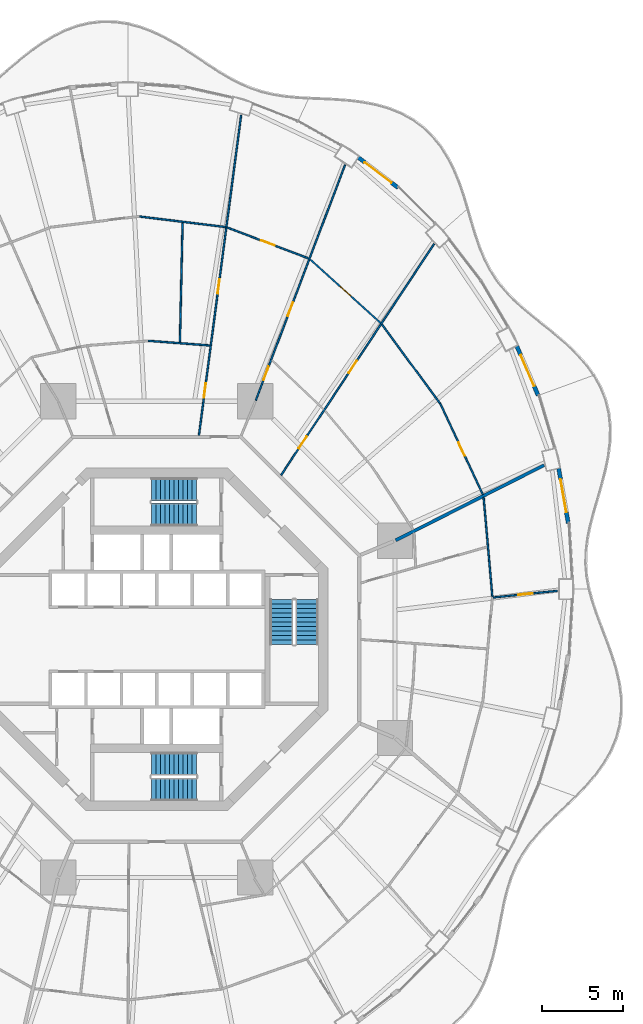
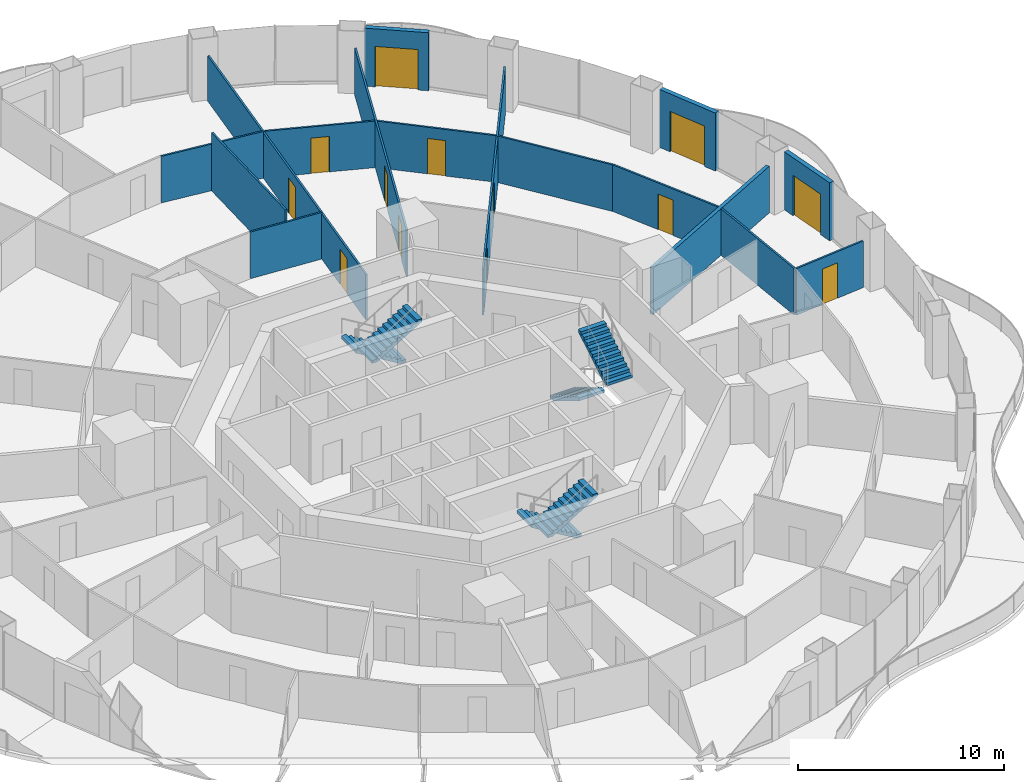
# One storey, part 19 of 22: 16 walls, 13 doors, 6 stair flights, 13 openings, 3 elements without a shape of their own.
"""IFC4 building model written with IfcOpenShell, lengths in metres."""

from ifc_helpers import new_model, si_unit, direction, frame, frame_2d, origin, place, context, subcontext, project, spatial, polyline, rectangle, outline, extrude, material, layer, layer_set, type_object, element, fill, aggregate, save


model = new_model("IFC4")

# Units and contexts
model_context = context("Model", 3, precision=1e-05, world=origin(), true_north=direction((0.0, 1.0)))
body_context = subcontext(model_context, "Body", "Model", "MODEL_VIEW")
ifc_project = project(units=[si_unit("LENGTHUNIT", "METRE"), si_unit("AREAUNIT", "SQUARE_METRE"), si_unit("VOLUMEUNIT", "CUBIC_METRE"), si_unit("PLANEANGLEUNIT", "RADIAN"), si_unit("MASSUNIT", "GRAM", prefix="KILO")], contexts=[model_context])

# Site, building, storey
site_placement = place(None, origin())
site = spatial("IfcSite", under=ifc_project, at=site_placement, CompositionType="ELEMENT")
building_placement = place(site_placement, origin())
building = spatial("IfcBuilding", under=site, at=building_placement, Name="Nagisa Residences", CompositionType="ELEMENT")
storey_placement = place(building_placement, frame((0.0, 0.0, 80.699951171875)))
storey = spatial("IfcBuildingStorey", under=building, at=storey_placement, Name="L19", CompositionType="ELEMENT", Elevation=80.699951171875)

# Wall
ifc_material_1 = material(Name="Gypsum board on steel studs", Category="steel")
ifc_layer_1 = layer(ifc_material_1, 0.199951171875)
ifc_layer_set_1 = layer_set([ifc_layer_1], Name="Apartment compartment wall EI60 200")
wall_type_1 = type_object("IfcWallType", Name="Apartment compartment wall EI60 200", PredefinedType="PARTITIONING", material=ifc_layer_set_1)
wall_1_placement = place(storey_placement, frame((14.82666015625, 6.1455078125, 0.0), z_axis=(0.0, 0.0, 1.0), x_axis=(0.892068075337, 0.451901038906, 0.0)))
element("IfcWall", 1, at=wall_1_placement, inside=storey, type_object=wall_type_1, Name="wall:L19:u01", PredefinedType="PARTITIONING", context=body_context, shape_type="SweptSolid", body=[
    extrude(rectangle(XDim=10.31982421875, YDim=0.199951171875, at=frame_2d((5.159912109375, 0.0))), origin(), (0.0, 0.0, 1.0), 2.761962890625),
])

# Wall, opening, door
ifc_material_2 = material(Name="Gypsum board on steel studs", Category="steel")
ifc_layer_2 = layer(ifc_material_2, 0.10009765625)
ifc_layer_set_2 = layer_set([ifc_layer_2], Name="Apartment partition 100")
wall_type_2 = type_object("IfcWallType", Name="Apartment partition 100", PredefinedType="PARTITIONING", material=ifc_layer_set_2)
wall_2_placement = place(storey_placement, frame((20.879150390625, 2.597412109375, 0.0), z_axis=(0.0, 0.0, 1.0), x_axis=(0.994666546694, 0.103142914868, 0.0)))
wall_2 = element("IfcWall", 2, at=wall_2_placement, inside=storey, type_object=wall_type_2, Name="wall:L19:u16", PredefinedType="PARTITIONING", context=body_context, shape_type="SweptSolid", body=[
    extrude(rectangle(XDim=3.997802734375, YDim=0.10009765625, at=frame_2d((1.9990234375, 0.0))), origin(), (0.0, 0.0, 1.0), 2.761962890625),
])
opening_1_placement = place(wall_2_placement, frame((1.548828125, 0.0, 0.0)))
opening_1 = element("IfcOpeningElement", 3, at=opening_1_placement, cuts=wall_2, Name="Opening L19-U54", PredefinedType="OPENING", context=body_context, shape_type="SweptSolid", body=[
    extrude(rectangle(XDim=0.89990234375, YDim=2.10009765625, at=frame_2d((0.449951171875, 1.050048828125))), frame((0.0, 0.06005859375, 0.0), z_axis=(0.0, -1.0, 0.0), x_axis=(1.0, 0.0, 0.0)), (0.0, 0.0, 1.0), 0.1201171875),
])
ifc_material_3 = material(Name="Timber door set", Category="wood")
door_type_1 = type_object("IfcDoorType", Name="Apartment door 900x2100", OperationType="NOTDEFINED", PredefinedType="DOOR", material=ifc_material_3)
door_1_placement = place(opening_1_placement, origin())
door_1 = element("IfcDoor", 4, at=door_1_placement, inside=storey, type_object=door_type_1, Name="Door to master bedroom, Apartment 19D", OperationType="SINGLE_SWING_RIGHT", OverallHeight=2.10009765625, OverallWidth=0.89990234375, PredefinedType="DOOR", context=body_context, shape_type="SweptSolid", body=[
    extrude(rectangle(XDim=0.89990234375, YDim=2.10009765625, at=frame_2d((0.449951171875, 1.050048828125))), frame((0.0, 0.02490234375, 0.0), z_axis=(0.0, -1.0, 0.0), x_axis=(1.0, 0.0, 0.0)), (0.0, 0.0, 1.0), 0.050048828125),
])
fill(opening_1, door_1)

# Wall
wall_3_placement = place(storey_placement, frame((20.8251953125, 2.64208984375, 0.0), z_axis=(0.0, 0.0, 1.0), x_axis=(-0.087760219522, 0.996141628419, 0.0)))
element("IfcWall", 5, at=wall_3_placement, inside=storey, type_object=wall_type_2, Name="wall:L19:u17", PredefinedType="PARTITIONING", context=body_context, shape_type="SweptSolid", body=[
    extrude(rectangle(XDim=6.18701171875, YDim=0.10009765625, at=frame_2d((3.093505859375, 0.0))), origin(), (0.0, 0.0, 1.0), 2.761962890625),
])

# Wall, opening, door
wall_4_placement = place(storey_placement, frame((20.23095703125, 8.995361328125, 0.0), z_axis=(0.0, 0.0, 1.0), x_axis=(-0.424587886407, 0.905386727712, 0.0)))
wall_4 = element("IfcWall", 6, at=wall_4_placement, inside=storey, type_object=wall_type_2, Name="wall:L19:u22", PredefinedType="PARTITIONING", context=body_context, shape_type="SweptSolid", body=[
    extrude(rectangle(XDim=6.25439453125, YDim=0.10009765625, at=frame_2d((3.127197265625, 0.0))), origin(), (0.0, 0.0, 1.0), 2.761962890625),
])
opening_2_placement = place(wall_4_placement, frame((2.652099609375, 0.0, 0.0)))
opening_2 = element("IfcOpeningElement", 7, at=opening_2_placement, cuts=wall_4, Name="Opening L19-U21", PredefinedType="OPENING", context=body_context, shape_type="SweptSolid", body=[
    extrude(rectangle(XDim=0.89990234375, YDim=2.10009765625, at=frame_2d((0.449951171875, 1.050048828125))), frame((0.0, 0.06005859375, 0.0), z_axis=(0.0, -1.0, 0.0), x_axis=(1.0, 0.0, 0.0)), (0.0, 0.0, 1.0), 0.1201171875),
])
door_2_placement = place(opening_2_placement, frame((0.89990234375, 0.0, 0.0), x_axis=(-1.0, 0.0, 0.0)))
door_2 = element("IfcDoor", 8, at=door_2_placement, inside=storey, type_object=door_type_1, Name="Door to family room, Apartment 19A", OperationType="SINGLE_SWING_RIGHT", OverallHeight=2.10009765625, OverallWidth=0.89990234375, PredefinedType="DOOR", context=body_context, shape_type="SweptSolid", body=[
    extrude(rectangle(XDim=0.89990234375, YDim=2.10009765625, at=frame_2d((0.449951171875, 1.050048828125))), frame((0.0, 0.02490234375, 0.0), z_axis=(0.0, -1.0, 0.0), x_axis=(1.0, 0.0, 0.0)), (0.0, 0.0, 1.0), 0.050048828125),
])
fill(opening_2, door_2)

# Wall
wall_5_placement = place(storey_placement, frame((17.567138671875, 14.65283203125, 0.0), z_axis=(0.0, 0.0, 1.0), x_axis=(-0.592391983588, 0.80564988536, 0.0)))
element("IfcWall", 9, at=wall_5_placement, inside=storey, type_object=wall_type_2, Name="wall:L19:u24", PredefinedType="PARTITIONING", context=body_context, shape_type="SweptSolid", body=[
    extrude(rectangle(XDim=6.080078125, YDim=0.10009765625, at=frame_2d((3.0400390625, 0.0))), origin(), (0.0, 0.0, 1.0), 2.761962890625),
])

# Wall, openings, doors
wall_6_placement = place(storey_placement, frame((7.713134765625, 10.19482421875, 0.0), z_axis=(0.0, 0.0, 1.0), x_axis=(0.552111071171, 0.833770571015, 0.0)))
wall_6 = element("IfcWall", 10, at=wall_6_placement, inside=storey, type_object=wall_type_2, Name="wall:L19:u25", PredefinedType="PARTITIONING", context=body_context, shape_type="SweptSolid", body=[
    extrude(rectangle(XDim=17.20849609375, YDim=0.10009765625, at=frame_2d((8.604248046875, 0.0))), origin(), (0.0, 0.0, 1.0), 2.68701171875),
])
opening_3_placement = place(wall_6_placement, frame((1.975830078125, 0.0, 0.0)))
opening_3 = element("IfcOpeningElement", 11, at=opening_3_placement, cuts=wall_6, Name="Opening L19-U19", PredefinedType="OPENING", context=body_context, shape_type="SweptSolid", body=[
    extrude(rectangle(XDim=0.89990234375, YDim=2.10009765625, at=frame_2d((0.449951171875, 1.050048828125))), frame((0.0, 0.06005859375, 0.0), z_axis=(0.0, -1.0, 0.0), x_axis=(1.0, 0.0, 0.0)), (0.0, 0.0, 1.0), 0.1201171875),
])
opening_4_placement = place(wall_6_placement, frame((7.611083984375, 0.0, 0.0)))
opening_4 = element("IfcOpeningElement", 12, at=opening_4_placement, cuts=wall_6, Name="Opening L19-U20", PredefinedType="OPENING", context=body_context, shape_type="SweptSolid", body=[
    extrude(rectangle(XDim=0.89990234375, YDim=2.10009765625, at=frame_2d((0.449951171875, 1.050048828125))), frame((0.0, 0.06005859375, 0.0), z_axis=(0.0, -1.0, 0.0), x_axis=(1.0, 0.0, 0.0)), (0.0, 0.0, 1.0), 0.1201171875),
])
door_3_placement = place(opening_3_placement, frame((0.89990234375, 0.0, 0.0), x_axis=(-1.0, 0.0, 0.0)))
door_3 = element("IfcDoor", 13, at=door_3_placement, inside=storey, type_object=door_type_1, Name="Door to laundry, Apartment 19A", OperationType="SINGLE_SWING_RIGHT", OverallHeight=2.10009765625, OverallWidth=0.89990234375, PredefinedType="DOOR", context=body_context, shape_type="SweptSolid", body=[
    extrude(rectangle(XDim=0.89990234375, YDim=2.10009765625, at=frame_2d((0.449951171875, 1.050048828125))), frame((0.0, 0.02490234375, 0.0), z_axis=(0.0, -1.0, 0.0), x_axis=(1.0, 0.0, 0.0)), (0.0, 0.0, 1.0), 0.050048828125),
])
fill(opening_3, door_3)
door_4_placement = place(opening_4_placement, frame((0.89990234375, 0.0, 0.0), x_axis=(-1.0, 0.0, 0.0)))
door_4 = element("IfcDoor", 14, at=door_4_placement, inside=storey, type_object=door_type_1, Name="Door to dining room, Apartment 19A", OperationType="SINGLE_SWING_LEFT", OverallHeight=2.10009765625, OverallWidth=0.89990234375, PredefinedType="DOOR", context=body_context, shape_type="SweptSolid", body=[
    extrude(rectangle(XDim=0.89990234375, YDim=2.10009765625, at=frame_2d((0.449951171875, 1.050048828125))), frame((0.0, 0.02490234375, 0.0), z_axis=(0.0, -1.0, 0.0), x_axis=(1.0, 0.0, 0.0)), (0.0, 0.0, 1.0), 0.050048828125),
])
fill(opening_4, door_4)

# Wall, opening, door
wall_7_placement = place(storey_placement, frame((13.8984375, 19.625244140625, 0.0), z_axis=(0.0, 0.0, 1.0), x_axis=(-0.742400132046, 0.669956747812, 0.0)))
wall_7 = element("IfcWall", 15, at=wall_7_placement, inside=storey, type_object=wall_type_2, Name="wall:L19:u27", PredefinedType="PARTITIONING", context=body_context, shape_type="SweptSolid", body=[
    extrude(rectangle(XDim=5.9111328125, YDim=0.10009765625, at=frame_2d((2.95556640625, 0.0))), origin(), (0.0, 0.0, 1.0), 2.761962890625),
])
opening_5_placement = place(wall_7_placement, frame((2.505615234375, 0.0, 0.0)))
opening_5 = element("IfcOpeningElement", 16, at=opening_5_placement, cuts=wall_7, Name="Opening L19-U12", PredefinedType="OPENING", context=body_context, shape_type="SweptSolid", body=[
    extrude(rectangle(XDim=0.89990234375, YDim=2.10009765625, at=frame_2d((0.449951171875, 1.050048828125))), frame((0.0, 0.06005859375, 0.0), z_axis=(0.0, -1.0, 0.0), x_axis=(1.0, 0.0, 0.0)), (0.0, 0.0, 1.0), 0.1201171875),
])
door_5_placement = place(opening_5_placement, frame((0.89990234375, 0.0, 0.0), x_axis=(-1.0, 0.0, 0.0)))
door_5 = element("IfcDoor", 17, at=door_5_placement, inside=storey, type_object=door_type_1, Name="Door to master bedroom, Apartment 19A", OperationType="SINGLE_SWING_LEFT", OverallHeight=2.10009765625, OverallWidth=0.89990234375, PredefinedType="DOOR", context=body_context, shape_type="SweptSolid", body=[
    extrude(rectangle(XDim=0.89990234375, YDim=2.10009765625, at=frame_2d((0.449951171875, 1.050048828125))), frame((0.0, 0.02490234375, 0.0), z_axis=(0.0, -1.0, 0.0), x_axis=(1.0, 0.0, 0.0)), (0.0, 0.0, 1.0), 0.050048828125),
])
fill(opening_5, door_5)

# Wall, openings, doors
wall_8_placement = place(storey_placement, frame((6.140625, 14.828857421875, 0.0), z_axis=(0.0, 0.0, 1.0), x_axis=(0.354477134193, 0.935064682968, 0.0)))
wall_8 = element("IfcWall", 18, at=wall_8_placement, inside=storey, type_object=wall_type_2, Name="wall:L19:u29", PredefinedType="PARTITIONING", context=body_context, shape_type="SweptSolid", body=[
    extrude(rectangle(XDim=15.6259765625, YDim=0.10009765625, at=frame_2d((7.81298828125, 0.0))), origin(), (0.0, 0.0, 1.0), 2.761962890625),
])
opening_6_placement = place(wall_8_placement, frame((1.349609375, 0.0, 0.0)))
opening_6 = element("IfcOpeningElement", 19, at=opening_6_placement, cuts=wall_8, Name="Opening L19-U02", PredefinedType="OPENING", context=body_context, shape_type="SweptSolid", body=[
    extrude(rectangle(XDim=0.89990234375, YDim=2.10009765625, at=frame_2d((0.449951171875, 1.050048828125))), frame((0.0, 0.06005859375, 0.0), z_axis=(0.0, -1.0, 0.0), x_axis=(1.0, 0.0, 0.0)), (0.0, 0.0, 1.0), 0.1201171875),
])
opening_7_placement = place(wall_8_placement, frame((5.605712890625, 0.0, 0.0)))
opening_7 = element("IfcOpeningElement", 20, at=opening_7_placement, cuts=wall_8, Name="Opening L19-U07", PredefinedType="OPENING", context=body_context, shape_type="SweptSolid", body=[
    extrude(rectangle(XDim=0.89990234375, YDim=2.10009765625, at=frame_2d((0.449951171875, 1.050048828125))), frame((0.0, 0.06005859375, 0.0), z_axis=(0.0, -1.0, 0.0), x_axis=(1.0, 0.0, 0.0)), (0.0, 0.0, 1.0), 0.1201171875),
])
door_6_placement = place(opening_6_placement, frame((0.89990234375, 0.0, 0.0), x_axis=(-1.0, 0.0, 0.0)))
door_6 = element("IfcDoor", 21, at=door_6_placement, inside=storey, type_object=door_type_1, Name="Door to family bathroom, Apartment 19A", OperationType="SINGLE_SWING_LEFT", OverallHeight=2.10009765625, OverallWidth=0.89990234375, PredefinedType="DOOR", context=body_context, shape_type="SweptSolid", body=[
    extrude(rectangle(XDim=0.89990234375, YDim=2.10009765625, at=frame_2d((0.449951171875, 1.050048828125))), frame((0.0, 0.02490234375, 0.0), z_axis=(0.0, -1.0, 0.0), x_axis=(1.0, 0.0, 0.0)), (0.0, 0.0, 1.0), 0.050048828125),
])
fill(opening_6, door_6)
door_7_placement = place(opening_7_placement, frame((0.89990234375, 0.0, 0.0), x_axis=(-1.0, 0.0, 0.0)))
door_7 = element("IfcDoor", 22, at=door_7_placement, inside=storey, type_object=door_type_1, Name="Door to kitchen, Apartment 19A", OperationType="SINGLE_SWING_RIGHT", OverallHeight=2.10009765625, OverallWidth=0.89990234375, PredefinedType="DOOR", context=body_context, shape_type="SweptSolid", body=[
    extrude(rectangle(XDim=0.89990234375, YDim=2.10009765625, at=frame_2d((0.449951171875, 1.050048828125))), frame((0.0, 0.02490234375, 0.0), z_axis=(0.0, -1.0, 0.0), x_axis=(1.0, 0.0, 0.0)), (0.0, 0.0, 1.0), 0.050048828125),
])
fill(opening_7, door_7)

# Wall, opening, door
wall_9_placement = place(storey_placement, frame((9.42626953125, 23.63671875, 0.0), z_axis=(0.0, 0.0, 1.0), x_axis=(-0.93461405629, 0.355663557011, 0.0)))
wall_9 = element("IfcWall", 23, at=wall_9_placement, inside=storey, type_object=wall_type_2, Name="wall:L19:u30", PredefinedType="PARTITIONING", context=body_context, shape_type="SweptSolid", body=[
    extrude(rectangle(XDim=5.416748046875, YDim=0.10009765625, at=frame_2d((2.70849609375, 0.0))), origin(), (0.0, 0.0, 1.0), 2.761962890625),
])
opening_8_placement = place(wall_9_placement, frame((2.25830078125, 0.0, 0.0)))
opening_8 = element("IfcOpeningElement", 24, at=opening_8_placement, cuts=wall_9, Name="Opening L19-U13", PredefinedType="OPENING", context=body_context, shape_type="SweptSolid", body=[
    extrude(rectangle(XDim=0.89990234375, YDim=2.10009765625, at=frame_2d((0.449951171875, 1.050048828125))), frame((0.0, 0.06005859375, 0.0), z_axis=(0.0, -1.0, 0.0), x_axis=(1.0, 0.0, 0.0)), (0.0, 0.0, 1.0), 0.1201171875),
])
door_8_placement = place(opening_8_placement, frame((0.89990234375, 0.0, 0.0), x_axis=(-1.0, 0.0, 0.0)))
door_8 = element("IfcDoor", 25, at=door_8_placement, inside=storey, type_object=door_type_1, Name="Door to family room, Apartment 19A", OperationType="SINGLE_SWING_RIGHT", OverallHeight=2.10009765625, OverallWidth=0.89990234375, PredefinedType="DOOR", context=body_context, shape_type="SweptSolid", body=[
    extrude(rectangle(XDim=0.89990234375, YDim=2.10009765625, at=frame_2d((0.449951171875, 1.050048828125))), frame((0.0, 0.02490234375, 0.0), z_axis=(0.0, -1.0, 0.0), x_axis=(1.0, 0.0, 0.0)), (0.0, 0.0, 1.0), 0.050048828125),
])
fill(opening_8, door_8)

# Wall, openings, doors
wall_10_placement = place(storey_placement, frame((2.615234375, 12.663818359375, 0.0), z_axis=(0.0, 0.0, 1.0), x_axis=(0.130614967904, 0.99143316979, 0.0)))
wall_10 = element("IfcWall", 26, at=wall_10_placement, inside=storey, type_object=wall_type_2, Name="wall:L19:u31", PredefinedType="PARTITIONING", context=body_context, shape_type="SweptSolid", body=[
    extrude(rectangle(XDim=20.03369140625, YDim=0.10009765625, at=frame_2d((10.016845703125, 0.0))), origin(), (0.0, 0.0, 1.0), 2.68701171875),
])
opening_9_placement = place(wall_10_placement, frame((2.358642578125, 0.0, 0.0)))
opening_9 = element("IfcOpeningElement", 27, at=opening_9_placement, cuts=wall_10, Name="Opening L19-U03", PredefinedType="OPENING", context=body_context, shape_type="SweptSolid", body=[
    extrude(rectangle(XDim=0.89990234375, YDim=2.10009765625, at=frame_2d((0.449951171875, 1.050048828125))), frame((0.0, 0.06005859375, 0.0), z_axis=(0.0, -1.0, 0.0), x_axis=(1.0, 0.0, 0.0)), (0.0, 0.0, 1.0), 0.1201171875),
])
opening_10_placement = place(wall_10_placement, frame((8.873046875, 0.0, 0.0)))
opening_10 = element("IfcOpeningElement", 28, at=opening_10_placement, cuts=wall_10, Name="Opening L19-U08", PredefinedType="OPENING", context=body_context, shape_type="SweptSolid", body=[
    extrude(rectangle(XDim=0.89990234375, YDim=2.10009765625, at=frame_2d((0.449951171875, 1.050048828125))), frame((0.0, 0.06005859375, 0.0), z_axis=(0.0, -1.0, 0.0), x_axis=(1.0, 0.0, 0.0)), (0.0, 0.0, 1.0), 0.1201171875),
])
door_9_placement = place(opening_9_placement, origin())
door_9 = element("IfcDoor", 29, at=door_9_placement, inside=storey, type_object=door_type_1, Name="Door to store, Apartment 19A", OperationType="SINGLE_SWING_LEFT", OverallHeight=2.10009765625, OverallWidth=0.89990234375, PredefinedType="DOOR", context=body_context, shape_type="SweptSolid", body=[
    extrude(rectangle(XDim=0.89990234375, YDim=2.10009765625, at=frame_2d((0.449951171875, 1.050048828125))), frame((0.0, 0.02490234375, 0.0), z_axis=(0.0, -1.0, 0.0), x_axis=(1.0, 0.0, 0.0)), (0.0, 0.0, 1.0), 0.050048828125),
])
fill(opening_9, door_9)
door_10_placement = place(opening_10_placement, origin())
door_10 = element("IfcDoor", 30, at=door_10_placement, inside=storey, type_object=door_type_1, Name="Door to family bathroom, Apartment 19A", OperationType="SINGLE_SWING_RIGHT", OverallHeight=2.10009765625, OverallWidth=0.89990234375, PredefinedType="DOOR", context=body_context, shape_type="SweptSolid", body=[
    extrude(rectangle(XDim=0.89990234375, YDim=2.10009765625, at=frame_2d((0.449951171875, 1.050048828125))), frame((0.0, 0.02490234375, 0.0), z_axis=(0.0, -1.0, 0.0), x_axis=(1.0, 0.0, 0.0)), (0.0, 0.0, 1.0), 0.050048828125),
])
fill(opening_10, door_10)

# Walls
wall_11_placement = place(storey_placement, frame((3.299072265625, 18.23681640625, 0.0), z_axis=(0.0, 0.0, 1.0), x_axis=(-0.997152243414, 0.075414875552, 0.0)))
element("IfcWall", 31, at=wall_11_placement, inside=storey, type_object=wall_type_2, Name="wall:L19:u32", PredefinedType="PARTITIONING", context=body_context, shape_type="SweptSolid", body=[
    extrude(rectangle(XDim=3.845947265625, YDim=0.10009765625, at=frame_2d((1.9228515625, 0.0))), origin(), (0.0, 0.0, 1.0), 2.761962890625),
])
wall_12_placement = place(storey_placement, frame((4.267333984375, 25.587158203125, 0.0), z_axis=(0.0, 0.0, 1.0), x_axis=(-0.992576206119, 0.121624319302, 0.0)))
element("IfcWall", 32, at=wall_12_placement, inside=storey, type_object=wall_type_2, Name="wall:L19:u33", PredefinedType="PARTITIONING", context=body_context, shape_type="SweptSolid", body=[
    extrude(rectangle(XDim=5.37353515625, YDim=0.10009765625, at=frame_2d((2.686767578125, 0.0))), origin(), (0.0, 0.0, 1.0), 2.761962890625),
])
wall_13_placement = place(storey_placement, frame((1.4326171875, 18.42822265625, 0.0), z_axis=(0.0, 0.0, 1.0), x_axis=(0.022419421812, 0.999748653175, 0.0)))
element("IfcWall", 33, at=wall_13_placement, inside=storey, type_object=wall_type_2, Name="wall:L19:u34", PredefinedType="PARTITIONING", context=body_context, shape_type="SweptSolid", body=[
    extrude(rectangle(XDim=7.437744140625, YDim=0.10009765625, at=frame_2d((3.71875, 0.0))), origin(), (0.0, 0.0, 1.0), 3.43994140625),
])

# Wall, opening, door
ifc_material_4 = material(Name="Precast concrete C40/50", Category="concrete")
ifc_layer_3 = layer(ifc_material_4, 0.25)
ifc_layer_set_3 = layer_set([ifc_layer_3], Name="BALCONY DOOR WALL 250")
wall_type_3 = type_object("IfcWallType", Name="BALCONY DOOR WALL 250", PredefinedType="SOLIDWALL", material=ifc_layer_set_3)
wall_14_placement = place(storey_placement, frame((24.940185546875, 10.612548828125, 0.0), z_axis=(0.0, 0.0, 1.0), x_axis=(0.172164316671, -0.985068245385, 0.0)))
wall_14 = element("IfcWall", 34, at=wall_14_placement, inside=storey, type_object=wall_type_3, Name="wall:L19:bay01", PredefinedType="SOLIDWALL", context=body_context, shape_type="SweptSolid", body=[
    extrude(rectangle(XDim=3.454345703125, YDim=0.25, at=frame_2d((1.72705078125, 0.0))), origin(), (0.0, 0.0, 1.0), 3.43994140625),
])
opening_11_placement = place(wall_14_placement, frame((0.67724609375, 0.0, 0.0)))
opening_11 = element("IfcOpeningElement", 35, at=opening_11_placement, cuts=wall_14, Name="Opening BD-L19-01", PredefinedType="OPENING", context=body_context, shape_type="SweptSolid", body=[
    extrude(rectangle(XDim=2.10009765625, YDim=2.39990234375, at=frame_2d((1.050048828125, 1.199951171875))), frame((0.0, 0.135009765625, 0.0), z_axis=(0.0, -1.0, 0.0), x_axis=(1.0, 0.0, 0.0)), (0.0, 0.0, 1.0), 0.27001953125),
])
ifc_material_5 = material(Name="Aluminium and clear glass", Category="aluminium")
door_type_2 = type_object("IfcDoorType", Name="BALCONY SLIDING DOOR 2100x2400", OperationType="SLIDING_TO_LEFT", PredefinedType="DOOR", material=ifc_material_5)
door_11_placement = place(opening_11_placement, origin())
door_11 = element("IfcDoor", 36, at=door_11_placement, inside=storey, type_object=door_type_2, Name="door:L19:bay01", OperationType="SLIDING_TO_LEFT", OverallHeight=2.39990234375, OverallWidth=2.10009765625, PredefinedType="DOOR", context=body_context, shape_type="SweptSolid", body=[
    extrude(rectangle(XDim=2.10009765625, YDim=2.39990234375, at=frame_2d((1.050048828125, 1.199951171875))), frame((0.0, 0.02490234375, 0.0), z_axis=(0.0, -1.0, 0.0), x_axis=(1.0, 0.0, 0.0)), (0.0, 0.0, 1.0), 0.050048828125),
])
fill(opening_11, door_11)

wall_15_placement = place(storey_placement, frame((22.328369140625, 18.22900390625, 0.0), z_axis=(0.0, 0.0, 1.0), x_axis=(0.397621629246, -0.917549475481, 0.0)))
wall_15 = element("IfcWall", 37, at=wall_15_placement, inside=storey, type_object=wall_type_3, Name="wall:L19:bay03", PredefinedType="SOLIDWALL", context=body_context, shape_type="SweptSolid", body=[
    extrude(rectangle(XDim=3.37939453125, YDim=0.25, at=frame_2d((1.689697265625, 0.0))), origin(), (0.0, 0.0, 1.0), 3.43994140625),
])
opening_12_placement = place(wall_15_placement, frame((0.6396484375, 0.0, 0.0)))
opening_12 = element("IfcOpeningElement", 38, at=opening_12_placement, cuts=wall_15, Name="Opening BD-L19-02", PredefinedType="OPENING", context=body_context, shape_type="SweptSolid", body=[
    extrude(rectangle(XDim=2.10009765625, YDim=2.39990234375, at=frame_2d((1.050048828125, 1.199951171875))), frame((0.0, 0.135009765625, 0.0), z_axis=(0.0, -1.0, 0.0), x_axis=(1.0, 0.0, 0.0)), (0.0, 0.0, 1.0), 0.27001953125),
])
door_12_placement = place(opening_12_placement, origin())
door_12 = element("IfcDoor", 39, at=door_12_placement, inside=storey, type_object=door_type_2, Name="door:L19:bay03", OperationType="SLIDING_TO_LEFT", OverallHeight=2.39990234375, OverallWidth=2.10009765625, PredefinedType="DOOR", context=body_context, shape_type="SweptSolid", body=[
    extrude(rectangle(XDim=2.10009765625, YDim=2.39990234375, at=frame_2d((1.050048828125, 1.199951171875))), frame((0.0, 0.02490234375, 0.0), z_axis=(0.0, -1.0, 0.0), x_axis=(1.0, 0.0, 0.0)), (0.0, 0.0, 1.0), 0.050048828125),
])
fill(opening_12, door_12)

wall_16_placement = place(storey_placement, frame((12.4892578125, 29.91748046875, 0.0), z_axis=(0.0, 0.0, 1.0), x_axis=(0.796037575978, -0.605247203736, 0.0)))
wall_16 = element("IfcWall", 40, at=wall_16_placement, inside=storey, type_object=wall_type_3, Name="wall:L19:bay07", PredefinedType="SOLIDWALL", context=body_context, shape_type="SweptSolid", body=[
    extrude(rectangle(XDim=3.1337890625, YDim=0.25, at=frame_2d((1.56689453125, 0.0))), origin(), (0.0, 0.0, 1.0), 3.43994140625),
])
opening_13_placement = place(wall_16_placement, frame((0.51708984375, 0.0, 0.0)))
opening_13 = element("IfcOpeningElement", 41, at=opening_13_placement, cuts=wall_16, Name="Opening BD-L19-03", PredefinedType="OPENING", context=body_context, shape_type="SweptSolid", body=[
    extrude(rectangle(XDim=2.10009765625, YDim=2.39990234375, at=frame_2d((1.050048828125, 1.199951171875))), frame((0.0, 0.135009765625, 0.0), z_axis=(0.0, -1.0, 0.0), x_axis=(1.0, 0.0, 0.0)), (0.0, 0.0, 1.0), 0.27001953125),
])
door_13_placement = place(opening_13_placement, origin())
door_13 = element("IfcDoor", 42, at=door_13_placement, inside=storey, type_object=door_type_2, Name="door:L19:bay07", OperationType="SLIDING_TO_LEFT", OverallHeight=2.39990234375, OverallWidth=2.10009765625, PredefinedType="DOOR", context=body_context, shape_type="SweptSolid", body=[
    extrude(rectangle(XDim=2.10009765625, YDim=2.39990234375, at=frame_2d((1.050048828125, 1.199951171875))), frame((0.0, 0.02490234375, 0.0), z_axis=(0.0, -1.0, 0.0), x_axis=(1.0, 0.0, 0.0)), (0.0, 0.0, 1.0), 0.050048828125),
])
fill(opening_13, door_13)

# Stair, stair flights
ifc_material_6 = material(Name="Concrete C60", Category="concrete")
stair_type = type_object("IfcStairType", Name="Exit stair", PredefinedType="HALF_TURN_STAIR", material=ifc_material_6)
stair_1_placement = place(storey_placement, origin())
stair_1 = element("IfcStair", 43, at=stair_1_placement, inside=storey, type_object=stair_type, Name="L19 Exit stair E", PredefinedType="HALF_TURN_STAIR")
ifc_material_7 = material(Name="Concrete C60", Category="concrete")
stair_flight_type = type_object("IfcStairFlightType", Name="Exit stair flight", PredefinedType="STRAIGHT", material=ifc_material_7)
stair_flight_1_placement = place(storey_placement, frame((7.737060546875, 2.47509765625, 0.0), z_axis=(0.0, 0.0, 1.0), x_axis=(0.0, -1.0, 0.0)))
stair_flight_1 = element("IfcStairFlight", 44, at=stair_flight_1_placement, type_object=stair_flight_type, Name="ST-E flight 1", NumberOfRisers=11, NumberOfTreads=10, PredefinedType="STRAIGHT", RiserHeight=0.168181818, TreadLength=0.28, context=body_context, shape_type="SweptSolid", body=[
    extrude(outline(polyline([(0.0, 0.0), (0.0, 0.168212890625), (0.280029296875, 0.168212890625), (0.280029296875, 0.33642578125), (0.56005859375, 0.33642578125), (0.56005859375, 0.504638671875), (0.840087890625, 0.504638671875), (0.840087890625, 0.672607421875), (1.1201171875, 0.672607421875), (1.1201171875, 0.8408203125), (1.39990234375, 0.8408203125), (1.39990234375, 1.009033203125), (1.679931640625, 1.009033203125), (1.679931640625, 1.17724609375), (1.9599609375, 1.17724609375), (1.9599609375, 1.345458984375), (2.239990234375, 1.345458984375), (2.239990234375, 1.513671875), (2.52001953125, 1.513671875), (2.52001953125, 1.681884765625), (2.800048828125, 1.681884765625), (2.800048828125, 1.85009765625), (2.800048828125, 1.5068359375), (0.291015625, 0.0), (0.0, 0.0)])), frame((0.0, 0.71240234375, 0.0), z_axis=(0.0, -1.0, 0.0), x_axis=(1.0, 0.0, 0.0)), (0.0, 0.0, 1.0), 1.425048828125),
])
stair_flight_2_placement = place(storey_placement, frame((9.31201171875, -0.324951171875, 1.85009765625), z_axis=(0.0, 0.0, 1.0), x_axis=(0.0, 1.0, 0.0)))
stair_flight_2 = element("IfcStairFlight", 45, at=stair_flight_2_placement, type_object=stair_flight_type, Name="ST-E flight 2", NumberOfRisers=11, NumberOfTreads=10, PredefinedType="STRAIGHT", RiserHeight=0.168181818, TreadLength=0.28, context=body_context, shape_type="SweptSolid", body=[
    extrude(outline(polyline([(0.0, 0.0), (0.0, 0.168212890625), (0.280029296875, 0.168212890625), (0.280029296875, 0.33642578125), (0.56005859375, 0.33642578125), (0.56005859375, 0.504638671875), (0.840087890625, 0.504638671875), (0.840087890625, 0.672607421875), (1.1201171875, 0.672607421875), (1.1201171875, 0.8408203125), (1.39990234375, 0.8408203125), (1.39990234375, 1.009033203125), (1.679931640625, 1.009033203125), (1.679931640625, 1.17724609375), (1.9599609375, 1.17724609375), (1.9599609375, 1.345458984375), (2.239990234375, 1.345458984375), (2.239990234375, 1.513671875), (2.52001953125, 1.513671875), (2.52001953125, 1.681884765625), (2.800048828125, 1.681884765625), (2.800048828125, 1.85009765625), (2.800048828125, 1.5068359375), (0.291015625, 0.0), (0.0, 0.0)])), frame((0.0, 0.71240234375, 0.0), z_axis=(0.0, -1.0, 0.0), x_axis=(1.0, 0.0, 0.0)), (0.0, 0.0, 1.0), 1.425048828125),
])
aggregate(stair_1, [stair_flight_1, stair_flight_2])

stair_2_placement = place(storey_placement, origin())
stair_2 = element("IfcStair", 46, at=stair_2_placement, inside=storey, type_object=stair_type, Name="L19 Exit stair N", PredefinedType="HALF_TURN_STAIR")
stair_flight_3_placement = place(storey_placement, frame((2.47509765625, 9.31201171875, 0.0), z_axis=(0.0, 0.0, 1.0), x_axis=(-1.0, 0.0, 0.0)))
stair_flight_3 = element("IfcStairFlight", 47, at=stair_flight_3_placement, type_object=stair_flight_type, Name="ST-N flight 1", NumberOfRisers=11, NumberOfTreads=10, PredefinedType="STRAIGHT", RiserHeight=0.168181818, TreadLength=0.28, context=body_context, shape_type="SweptSolid", body=[
    extrude(outline(polyline([(0.0, 0.0), (0.0, 0.168212890625), (0.280029296875, 0.168212890625), (0.280029296875, 0.33642578125), (0.56005859375, 0.33642578125), (0.56005859375, 0.504638671875), (0.840087890625, 0.504638671875), (0.840087890625, 0.672607421875), (1.1201171875, 0.672607421875), (1.1201171875, 0.8408203125), (1.39990234375, 0.8408203125), (1.39990234375, 1.009033203125), (1.679931640625, 1.009033203125), (1.679931640625, 1.17724609375), (1.9599609375, 1.17724609375), (1.9599609375, 1.345458984375), (2.239990234375, 1.345458984375), (2.239990234375, 1.513671875), (2.52001953125, 1.513671875), (2.52001953125, 1.681884765625), (2.800048828125, 1.681884765625), (2.800048828125, 1.85009765625), (2.800048828125, 1.5068359375), (0.291015625, 0.0), (0.0, 0.0)])), frame((0.0, 0.71240234375, 0.0), z_axis=(0.0, -1.0, 0.0), x_axis=(1.0, 0.0, 0.0)), (0.0, 0.0, 1.0), 1.425048828125),
])
stair_flight_4_placement = place(storey_placement, frame((-0.324951171875, 7.737060546875, 1.85009765625), z_axis=(0.0, 0.0, 1.0), x_axis=(1.0, 0.0, 0.0)))
stair_flight_4 = element("IfcStairFlight", 48, at=stair_flight_4_placement, type_object=stair_flight_type, Name="ST-N flight 2", NumberOfRisers=11, NumberOfTreads=10, PredefinedType="STRAIGHT", RiserHeight=0.168181818, TreadLength=0.28, context=body_context, shape_type="SweptSolid", body=[
    extrude(outline(polyline([(0.0, 0.0), (0.0, 0.168212890625), (0.280029296875, 0.168212890625), (0.280029296875, 0.33642578125), (0.56005859375, 0.33642578125), (0.56005859375, 0.504638671875), (0.840087890625, 0.504638671875), (0.840087890625, 0.672607421875), (1.1201171875, 0.672607421875), (1.1201171875, 0.8408203125), (1.39990234375, 0.8408203125), (1.39990234375, 1.009033203125), (1.679931640625, 1.009033203125), (1.679931640625, 1.17724609375), (1.9599609375, 1.17724609375), (1.9599609375, 1.345458984375), (2.239990234375, 1.345458984375), (2.239990234375, 1.513671875), (2.52001953125, 1.513671875), (2.52001953125, 1.681884765625), (2.800048828125, 1.681884765625), (2.800048828125, 1.85009765625), (2.800048828125, 1.5068359375), (0.291015625, 0.0), (0.0, 0.0)])), frame((0.0, 0.71240234375, 0.0), z_axis=(0.0, -1.0, 0.0), x_axis=(1.0, 0.0, 0.0)), (0.0, 0.0, 1.0), 1.425048828125),
])
aggregate(stair_2, [stair_flight_3, stair_flight_4])

stair_3_placement = place(storey_placement, origin())
stair_3 = element("IfcStair", 49, at=stair_3_placement, inside=storey, type_object=stair_type, Name="L19 Exit stair S", PredefinedType="HALF_TURN_STAIR")
stair_flight_5_placement = place(storey_placement, frame((2.47509765625, -7.737060546875, 0.0), z_axis=(0.0, 0.0, 1.0), x_axis=(-1.0, 0.0, 0.0)))
stair_flight_5 = element("IfcStairFlight", 50, at=stair_flight_5_placement, type_object=stair_flight_type, Name="ST-S flight 1", NumberOfRisers=11, NumberOfTreads=10, PredefinedType="STRAIGHT", RiserHeight=0.168181818, TreadLength=0.28, context=body_context, shape_type="SweptSolid", body=[
    extrude(outline(polyline([(0.0, 0.0), (0.0, 0.168212890625), (0.280029296875, 0.168212890625), (0.280029296875, 0.33642578125), (0.56005859375, 0.33642578125), (0.56005859375, 0.504638671875), (0.840087890625, 0.504638671875), (0.840087890625, 0.672607421875), (1.1201171875, 0.672607421875), (1.1201171875, 0.8408203125), (1.39990234375, 0.8408203125), (1.39990234375, 1.009033203125), (1.679931640625, 1.009033203125), (1.679931640625, 1.17724609375), (1.9599609375, 1.17724609375), (1.9599609375, 1.345458984375), (2.239990234375, 1.345458984375), (2.239990234375, 1.513671875), (2.52001953125, 1.513671875), (2.52001953125, 1.681884765625), (2.800048828125, 1.681884765625), (2.800048828125, 1.85009765625), (2.800048828125, 1.5068359375), (0.291015625, 0.0), (0.0, 0.0)])), frame((0.0, 0.71240234375, 0.0), z_axis=(0.0, -1.0, 0.0), x_axis=(1.0, 0.0, 0.0)), (0.0, 0.0, 1.0), 1.425048828125),
])
stair_flight_6_placement = place(storey_placement, frame((-0.324951171875, -9.31201171875, 1.85009765625), z_axis=(0.0, 0.0, 1.0), x_axis=(1.0, 0.0, 0.0)))
stair_flight_6 = element("IfcStairFlight", 51, at=stair_flight_6_placement, type_object=stair_flight_type, Name="ST-S flight 2", NumberOfRisers=11, NumberOfTreads=10, PredefinedType="STRAIGHT", RiserHeight=0.168181818, TreadLength=0.28, context=body_context, shape_type="SweptSolid", body=[
    extrude(outline(polyline([(0.0, 0.0), (0.0, 0.168212890625), (0.280029296875, 0.168212890625), (0.280029296875, 0.33642578125), (0.56005859375, 0.33642578125), (0.56005859375, 0.504638671875), (0.840087890625, 0.504638671875), (0.840087890625, 0.672607421875), (1.1201171875, 0.672607421875), (1.1201171875, 0.8408203125), (1.39990234375, 0.8408203125), (1.39990234375, 1.009033203125), (1.679931640625, 1.009033203125), (1.679931640625, 1.17724609375), (1.9599609375, 1.17724609375), (1.9599609375, 1.345458984375), (2.239990234375, 1.345458984375), (2.239990234375, 1.513671875), (2.52001953125, 1.513671875), (2.52001953125, 1.681884765625), (2.800048828125, 1.681884765625), (2.800048828125, 1.85009765625), (2.800048828125, 1.5068359375), (0.291015625, 0.0), (0.0, 0.0)])), frame((0.0, 0.71240234375, 0.0), z_axis=(0.0, -1.0, 0.0), x_axis=(1.0, 0.0, 0.0)), (0.0, 0.0, 1.0), 1.425048828125),
])
aggregate(stair_3, [stair_flight_5, stair_flight_6])

save(model, "model.ifc")
